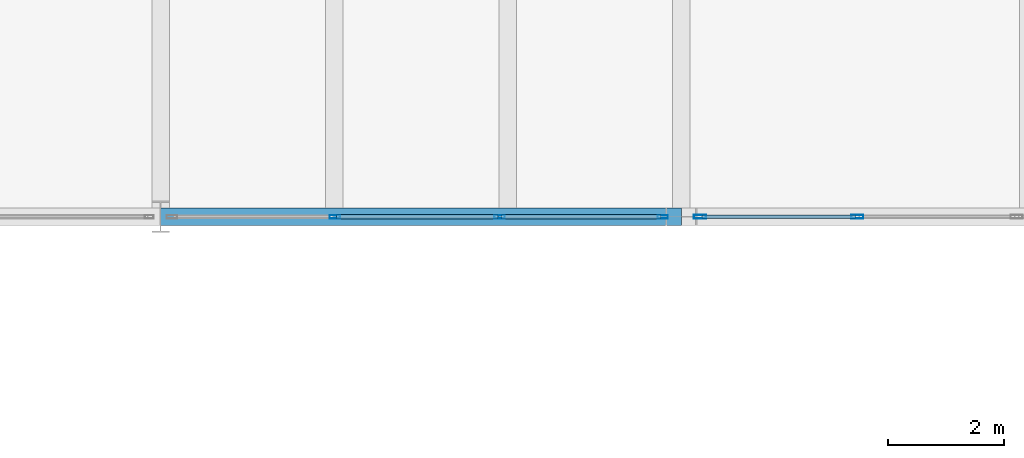
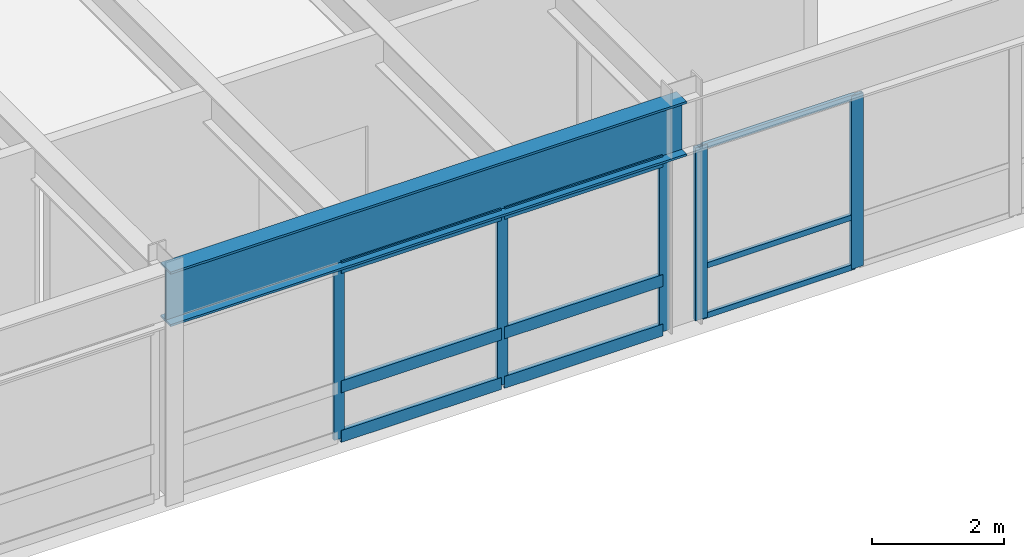
# One storey, part 90 of 142: 14 members, 1 beam, 2 elements without a shape of their own.
"""IFC4 building model written with IfcOpenShell, lengths in metres."""

from ifc_helpers import new_model, si_unit, direction, frame, origin, origin_2d, place, context, subcontext, project, spatial, hollow_rectangle, i_section, extrude, material, layer, layer_set, material_profile, profile_set, type_object, element, aggregate, save


model = new_model("IFC4")

# Units and contexts
model_context = context("Model", 3, precision=1e-05, world=origin(), true_north=direction((0.0, 1.0)))
body_context = subcontext(model_context, "Body", "Model", "MODEL_VIEW")
ifc_project = project(units=[si_unit("LENGTHUNIT", "METRE"), si_unit("AREAUNIT", "SQUARE_METRE"), si_unit("VOLUMEUNIT", "CUBIC_METRE"), si_unit("PLANEANGLEUNIT", "RADIAN"), si_unit("MASSUNIT", "GRAM", prefix="KILO")], contexts=[model_context])

# Site, building, storey
site_placement = place(None, origin())
site = spatial("IfcSite", under=ifc_project, at=site_placement, CompositionType="ELEMENT")
building_placement = place(site_placement, origin())
building = spatial("IfcBuilding", under=site, at=building_placement, Name="Montelvaro Courts of Justice", CompositionType="ELEMENT")
storey_placement = place(building_placement, frame((0.0, 0.0, 14.39990234375)))
storey = spatial("IfcBuildingStorey", under=building, at=storey_placement, Name="L03", CompositionType="ELEMENT", Elevation=14.39990234375)

# Beam
ifc_material_1 = material(Name="Steel S355", Category="steel")
ifc_material_profile_1 = material_profile(ifc_material_1, i_section(OverallWidth=0.302001953125, OverallDepth=1.008056640625, WebThickness=0.02099609375, FlangeThickness=0.0400390625, at=origin_2d()), Name="HEM 1000")
ifc_profile_set_1 = profile_set([ifc_material_profile_1], Name="Steel S355")
beam_type = type_object("IfcBeamType", Name="Beam_HEM1000", PredefinedType="USERDEFINED", material=ifc_profile_set_1)
beam_placement = place(storey_placement, frame((144.0, 78.0, 3.696044921875), z_axis=(1.0, 0.0, 0.0), x_axis=(0.0, 1.0, 0.0)))
element("IfcBeam", 1, at=beam_placement, inside=storey, type_object=beam_type, Name="Pratt Cantilever Truss Chord CTR-V2-S-L04-BS2", ObjectType="GIRDER", PredefinedType="USERDEFINED", context=body_context, shape_type="SweptSolid", body=[
    extrude(i_section(OverallWidth=0.302001953125, OverallDepth=1.008056640625, WebThickness=0.02099609375, FlangeThickness=0.0400390625, at=origin_2d()), origin(), (0.0, 0.0, 1.0), 9.0),
])

# Curtain wall, members
ifc_material_2 = material(Name="Anodised aluminium EN AW-6063", Category="aluminium")
ifc_layer_1 = layer(ifc_material_2, 0.159912109375)
ifc_layer_set_1 = layer_set([ifc_layer_1], Name="Anodised aluminium EN AW-6063")
curtain_wall_type_1 = type_object("IfcCurtainWallType", Name="CurtainWall_13_857x418", PredefinedType="USERDEFINED", material=ifc_layer_set_1)
curtain_wall_1_placement = place(storey_placement, origin())
curtain_wall_1 = element("IfcCurtainWall", 2, at=curtain_wall_1_placement, inside=storey, type_object=curtain_wall_type_1, Name="Curtain Wall CW-13 (L03)", ObjectType="CURTAIN WALL", PredefinedType="USERDEFINED")
ifc_material_profile_2 = material_profile(ifc_material_2, hollow_rectangle(XDim=0.06005859375, YDim=0.179931640625, WallThickness=0.00439453125, at=origin_2d()), Name="ALU-M 60x180")
ifc_profile_set_2 = profile_set([ifc_material_profile_2], Name="Anodised aluminium EN AW-6063")
member_type_1 = type_object("IfcMemberType", Name="CurtainWall_Mullion_60x180", PredefinedType="MULLION", material=ifc_profile_set_2)
member_1_placement = place(storey_placement, frame((147.013427734375, 78.0, 0.0), z_axis=(0.0, 0.0, 1.0), x_axis=(0.0, 1.0, 0.0)))
member_1 = element("IfcMember", 3, at=member_1_placement, type_object=member_type_1, Name="CW-13 mullion 2", PredefinedType="MULLION", context=body_context, shape_type="SweptSolid", body=[
    extrude(hollow_rectangle(XDim=0.06005859375, YDim=0.179931640625, WallThickness=0.00439453125, at=origin_2d()), origin(), (0.0, 0.0, 1.0), 3.18701171875),
])
member_2_placement = place(storey_placement, frame((149.861572265625, 78.0, 0.0), z_axis=(0.0, 0.0, 1.0), x_axis=(0.0, 1.0, 0.0)))
member_2 = element("IfcMember", 4, at=member_2_placement, type_object=member_type_1, Name="CW-13 mullion 3", PredefinedType="MULLION", context=body_context, shape_type="SweptSolid", body=[
    extrude(hollow_rectangle(XDim=0.06005859375, YDim=0.179931640625, WallThickness=0.00439453125, at=origin_2d()), origin(), (0.0, 0.0, 1.0), 3.18701171875),
])
member_3_placement = place(storey_placement, frame((152.679931640625, 78.0, 0.0), z_axis=(0.0, 0.0, 1.0), x_axis=(0.0, 1.0, 0.0)))
member_3 = element("IfcMember", 5, at=member_3_placement, type_object=member_type_1, Name="CW-13 mullion 4", PredefinedType="MULLION", context=body_context, shape_type="SweptSolid", body=[
    extrude(hollow_rectangle(XDim=0.06005859375, YDim=0.179931640625, WallThickness=0.00439453125, at=origin_2d()), origin(), (0.0, 0.0, 1.0), 3.18701171875),
])

ifc_layer_2 = layer(ifc_material_2, 0.159912109375)
ifc_layer_set_2 = layer_set([ifc_layer_2], Name="Anodised aluminium EN AW-6063")
curtain_wall_type_2 = type_object("IfcCurtainWallType", Name="CurtainWall_26_824x418", PredefinedType="USERDEFINED", material=ifc_layer_set_2)
curtain_wall_2_placement = place(storey_placement, origin())
curtain_wall_2 = element("IfcCurtainWall", 6, at=curtain_wall_2_placement, inside=storey, type_object=curtain_wall_type_2, Name="Curtain Wall CW-26 (L03)", ObjectType="CURTAIN WALL", PredefinedType="USERDEFINED")
ifc_material_profile_3 = material_profile(ifc_material_2, hollow_rectangle(XDim=0.06494140625, YDim=0.2099609375, WallThickness=0.0048828125, at=origin_2d()), Name="ALU-M 65x210")
ifc_profile_set_3 = profile_set([ifc_material_profile_3], Name="Anodised aluminium EN AW-6063")
member_type_2 = type_object("IfcMemberType", Name="CurtainWall_Mullion_65x210", PredefinedType="MULLION", material=ifc_profile_set_3)
member_4_placement = place(storey_placement, frame((153.322509765625, 78.0, 0.0), z_axis=(0.0, 0.0, 1.0), x_axis=(0.0, 1.0, 0.0)))
member_4 = element("IfcMember", 7, at=member_4_placement, type_object=member_type_2, Name="CW-26 mullion 1", PredefinedType="MULLION", context=body_context, shape_type="SweptSolid", body=[
    extrude(hollow_rectangle(XDim=0.06494140625, YDim=0.2099609375, WallThickness=0.0048828125, at=origin_2d()), origin(), (0.0, 0.0, 1.0), 3.18701171875),
])
member_5_placement = place(storey_placement, frame((156.043212890625, 78.0, 0.0), z_axis=(0.0, 0.0, 1.0), x_axis=(0.0, 1.0, 0.0)))
member_5 = element("IfcMember", 8, at=member_5_placement, type_object=member_type_2, Name="CW-26 mullion 2", PredefinedType="MULLION", context=body_context, shape_type="SweptSolid", body=[
    extrude(hollow_rectangle(XDim=0.06494140625, YDim=0.2099609375, WallThickness=0.0048828125, at=origin_2d()), origin(), (0.0, 0.0, 1.0), 3.18701171875),
])
ifc_material_profile_4 = material_profile(ifc_material_2, hollow_rectangle(XDim=0.06005859375, YDim=0.10009765625, WallThickness=0.00341796875, at=origin_2d()), Name="ALU-T 60x100")
ifc_profile_set_4 = profile_set([ifc_material_profile_4], Name="Anodised aluminium EN AW-6063")
member_type_3 = type_object("IfcMemberType", Name="CurtainWall_Transom_60x100", PredefinedType="USERDEFINED", material=ifc_profile_set_4)
member_6_placement = place(storey_placement, frame((153.35498046875, 78.0, 0.030029296875), z_axis=(1.0, 0.0, 0.0), x_axis=(0.0, 1.0, 0.0)))
member_6 = element("IfcMember", 9, at=member_6_placement, type_object=member_type_3, Name="CW-26 transom 1.1", ObjectType="TRANSOM", PredefinedType="USERDEFINED", context=body_context, shape_type="SweptSolid", body=[
    extrude(hollow_rectangle(XDim=0.06005859375, YDim=0.10009765625, WallThickness=0.00341796875, at=origin_2d()), origin(), (0.0, 0.0, 1.0), 2.65576171875),
])
member_7_placement = place(storey_placement, frame((153.35498046875, 78.0, 0.9501953125), z_axis=(1.0, 0.0, 0.0), x_axis=(0.0, 1.0, 0.0)))
member_7 = element("IfcMember", 10, at=member_7_placement, type_object=member_type_3, Name="CW-26 transom 1.2", ObjectType="TRANSOM", PredefinedType="USERDEFINED", context=body_context, shape_type="SweptSolid", body=[
    extrude(hollow_rectangle(XDim=0.06005859375, YDim=0.10009765625, WallThickness=0.00341796875, at=origin_2d()), origin(), (0.0, 0.0, 1.0), 2.65576171875),
])
member_8_placement = place(storey_placement, frame((153.35498046875, 78.0, 3.156982421875), z_axis=(1.0, 0.0, 0.0), x_axis=(0.0, 1.0, 0.0)))
member_8 = element("IfcMember", 11, at=member_8_placement, type_object=member_type_3, Name="CW-26 transom 1.3", ObjectType="TRANSOM", PredefinedType="USERDEFINED", context=body_context, shape_type="SweptSolid", body=[
    extrude(hollow_rectangle(XDim=0.06005859375, YDim=0.10009765625, WallThickness=0.00341796875, at=origin_2d()), origin(), (0.0, 0.0, 1.0), 2.65576171875),
])
aggregate(curtain_wall_2, [member_4, member_5, member_6, member_7, member_8])

# Member
ifc_material_profile_5 = material_profile(ifc_material_2, hollow_rectangle(XDim=0.074951171875, YDim=0.219970703125, WallThickness=0.005615234375, at=origin_2d()), Name="ALU-T 75x220")
ifc_profile_set_5 = profile_set([ifc_material_profile_5], Name="Anodised aluminium EN AW-6063")
member_type_4 = type_object("IfcMemberType", Name="CurtainWall_Transom_75x220", PredefinedType="USERDEFINED", material=ifc_profile_set_5)
member_9_placement = place(storey_placement, frame((147.043212890625, 78.0, 0.03759765625), z_axis=(1.0, 0.0, 0.0), x_axis=(0.0, 1.0, 0.0)))
member_9 = element("IfcMember", 12, at=member_9_placement, type_object=member_type_4, Name="CW-13 transom 2.1", ObjectType="TRANSOM", PredefinedType="USERDEFINED", context=body_context, shape_type="SweptSolid", body=[
    extrude(hollow_rectangle(XDim=0.074951171875, YDim=0.219970703125, WallThickness=0.005615234375, at=origin_2d()), origin(), (0.0, 0.0, 1.0), 2.78857421875),
])

member_10_placement = place(storey_placement, frame((147.043212890625, 78.0, 0.9501953125), z_axis=(1.0, 0.0, 0.0), x_axis=(0.0, 1.0, 0.0)))
member_10 = element("IfcMember", 13, at=member_10_placement, type_object=member_type_4, Name="CW-13 transom 2.2", ObjectType="TRANSOM", PredefinedType="USERDEFINED", context=body_context, shape_type="SweptSolid", body=[
    extrude(hollow_rectangle(XDim=0.074951171875, YDim=0.219970703125, WallThickness=0.005615234375, at=origin_2d()), origin(), (0.0, 0.0, 1.0), 2.78857421875),
])

member_11_placement = place(storey_placement, frame((147.043212890625, 78.0, 3.149658203125), z_axis=(1.0, 0.0, 0.0), x_axis=(0.0, 1.0, 0.0)))
member_11 = element("IfcMember", 14, at=member_11_placement, type_object=member_type_4, Name="CW-13 transom 2.3", ObjectType="TRANSOM", PredefinedType="USERDEFINED", context=body_context, shape_type="SweptSolid", body=[
    extrude(hollow_rectangle(XDim=0.074951171875, YDim=0.219970703125, WallThickness=0.005615234375, at=origin_2d()), origin(), (0.0, 0.0, 1.0), 2.78857421875),
])

member_12_placement = place(storey_placement, frame((149.8916015625, 78.0, 0.03759765625), z_axis=(1.0, 0.0, 0.0), x_axis=(0.0, 1.0, 0.0)))
member_12 = element("IfcMember", 15, at=member_12_placement, type_object=member_type_4, Name="CW-13 transom 3.1", ObjectType="TRANSOM", PredefinedType="USERDEFINED", context=body_context, shape_type="SweptSolid", body=[
    extrude(hollow_rectangle(XDim=0.074951171875, YDim=0.219970703125, WallThickness=0.005615234375, at=origin_2d()), origin(), (0.0, 0.0, 1.0), 2.75830078125),
])

member_13_placement = place(storey_placement, frame((149.8916015625, 78.0, 0.9501953125), z_axis=(1.0, 0.0, 0.0), x_axis=(0.0, 1.0, 0.0)))
member_13 = element("IfcMember", 16, at=member_13_placement, type_object=member_type_4, Name="CW-13 transom 3.2", ObjectType="TRANSOM", PredefinedType="USERDEFINED", context=body_context, shape_type="SweptSolid", body=[
    extrude(hollow_rectangle(XDim=0.074951171875, YDim=0.219970703125, WallThickness=0.005615234375, at=origin_2d()), origin(), (0.0, 0.0, 1.0), 2.75830078125),
])

member_14_placement = place(storey_placement, frame((149.8916015625, 78.0, 3.149658203125), z_axis=(1.0, 0.0, 0.0), x_axis=(0.0, 1.0, 0.0)))
member_14 = element("IfcMember", 17, at=member_14_placement, type_object=member_type_4, Name="CW-13 transom 3.3", ObjectType="TRANSOM", PredefinedType="USERDEFINED", context=body_context, shape_type="SweptSolid", body=[
    extrude(hollow_rectangle(XDim=0.074951171875, YDim=0.219970703125, WallThickness=0.005615234375, at=origin_2d()), origin(), (0.0, 0.0, 1.0), 2.75830078125),
])

aggregate(curtain_wall_1, [member_1, member_2, member_3, member_9, member_10, member_11, member_12, member_13, member_14])

save(model, "model.ifc")
